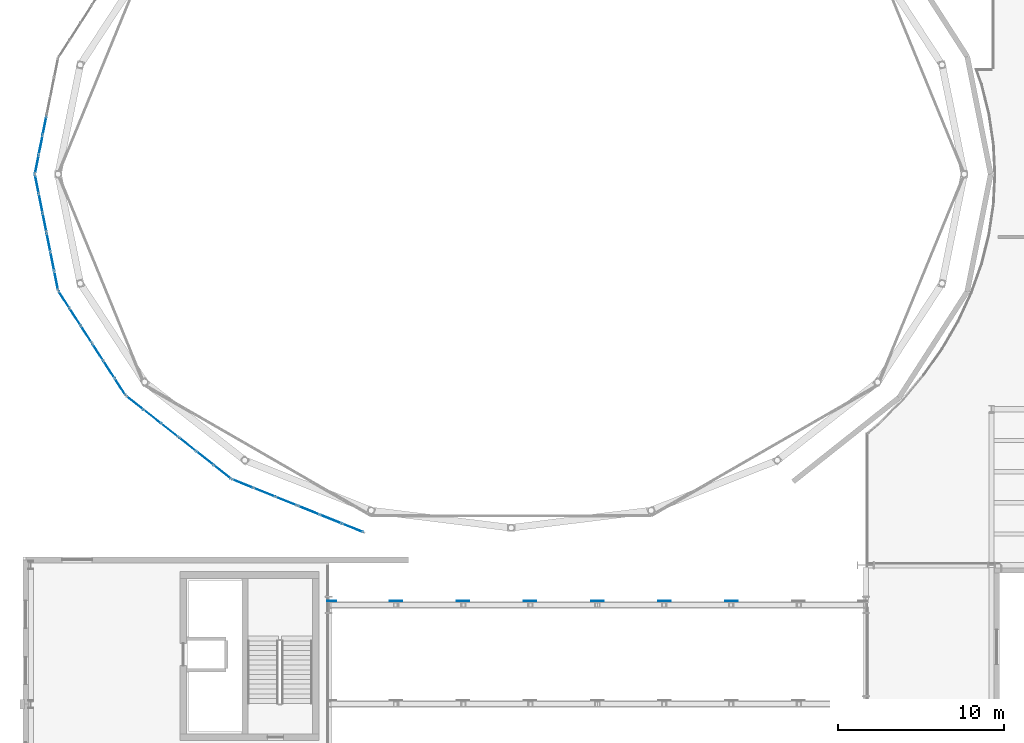
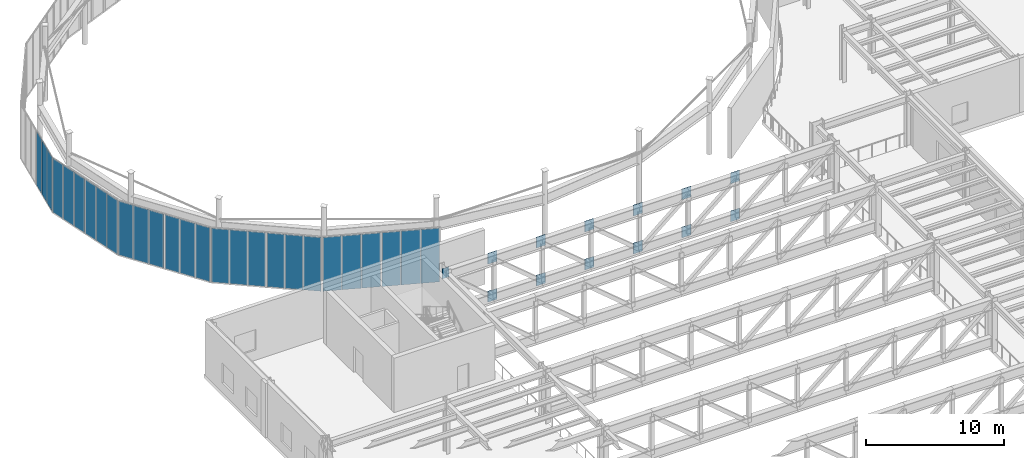
# One storey, part 57 of 91: 40 plates, 9 elements without a shape of their own.
"""IFC4 building model written with IfcOpenShell, lengths in metres."""

from ifc_helpers import new_model, si_unit, direction, frame, origin, origin_2d, place, context, subcontext, project, spatial, rectangle, extrude, material, layer, layer_set, type_object, element, aggregate, save


model = new_model("IFC4")

# Units and contexts
model_context = context("Model", 3, precision=1e-05, world=origin(), true_north=direction((0.0, 1.0)))
body_context = subcontext(model_context, "Body", "Model", "MODEL_VIEW")
ifc_project = project(units=[si_unit("LENGTHUNIT", "METRE"), si_unit("AREAUNIT", "SQUARE_METRE"), si_unit("VOLUMEUNIT", "CUBIC_METRE"), si_unit("PLANEANGLEUNIT", "RADIAN"), si_unit("MASSUNIT", "GRAM", prefix="KILO")], contexts=[model_context])

# Site, building, storey
site_placement = place(None, origin())
site = spatial("IfcSite", under=ifc_project, at=site_placement, CompositionType="ELEMENT")
building_placement = place(site_placement, origin())
building = spatial("IfcBuilding", under=site, at=building_placement, Name="Sollismere Congress Hotel", CompositionType="ELEMENT")
storey_placement = place(building_placement, frame((0.0, 0.0, 10.800048828125)))
storey = spatial("IfcBuildingStorey", under=building, at=storey_placement, Name="L02", CompositionType="ELEMENT", Elevation=10.800048828125)

# Curtain wall, plates
ifc_material_1 = material(Name="Anodized Bronze Curtain Wall & Low-E Triple Glazing", Category="glass")
ifc_layer_1 = layer(ifc_material_1, 0.199951171875, Name="Anodized Bronze Curtain Wall & Low-E Triple Glazing")
ifc_layer_set_1 = layer_set([ifc_layer_1], Name="Anodized Bronze Curtain Wall & Low-E Triple Glazing")
curtain_wall_type = type_object("IfcCurtainWallType", Name="CW-GLZ36", PredefinedType="USERDEFINED", material=ifc_layer_set_1)
curtain_wall_1_placement = place(storey_placement, origin())
curtain_wall_1 = element("IfcCurtainWall", 1, at=curtain_wall_1_placement, inside=storey, type_object=curtain_wall_type, Name="Unitised curtain wall CW-L02-042", ObjectType="UNITISED CURTAIN WALL", PredefinedType="USERDEFINED")
ifc_material_2 = material(Name="Blue-Tinted Solar-Control Low-E Vision Glass", Category="glass")
ifc_layer_2 = layer(ifc_material_2, 0.035888671875, Name="Blue-Tinted Solar-Control Low-E Vision Glass")
ifc_layer_set_2 = layer_set([ifc_layer_2], Name="Blue-Tinted Solar-Control Low-E Vision Glass")
plate_type_1 = type_object("IfcPlateType", Name="PL-CWGLZ", PredefinedType="CURTAIN_PANEL", material=ifc_layer_set_2)
plate_1_placement = place(storey_placement, frame((0.83251953125, 93.310546875, 0.052978515625), z_axis=(0.0, 0.0, 1.0), x_axis=(-0.196254203749, -0.98055305186, 0.0)))
plate_1 = element("IfcPlate", 2, at=plate_1_placement, type_object=plate_type_1, Name="CWL-CW-L02-042-VP01", PredefinedType="CURTAIN_PANEL", context=body_context, shape_type="SweptSolid", body=[
    extrude(rectangle(XDim=1.10595703125, YDim=0.035888671875, at=origin_2d()), origin(), (0.0, 0.0, 1.0), 4.75390625),
])
plate_2_placement = place(storey_placement, frame((0.601806640625, 92.157470703125, 0.052978515625), z_axis=(0.0, 0.0, 1.0), x_axis=(-0.196254203749, -0.98055305186, 0.0)))
plate_2 = element("IfcPlate", 3, at=plate_2_placement, type_object=plate_type_1, Name="CWL-CW-L02-042-VP02", PredefinedType="CURTAIN_PANEL", context=body_context, shape_type="SweptSolid", body=[
    extrude(rectangle(XDim=1.143798828125, YDim=0.035888671875, at=origin_2d()), origin(), (0.0, 0.0, 1.0), 4.75390625),
])
plate_3_placement = place(storey_placement, frame((0.37109375, 91.00439453125, 0.052978515625), z_axis=(0.0, 0.0, 1.0), x_axis=(-0.196254203749, -0.98055305186, 0.0)))
plate_3 = element("IfcPlate", 4, at=plate_3_placement, type_object=plate_type_1, Name="CWL-CW-L02-042-VP03", PredefinedType="CURTAIN_PANEL", context=body_context, shape_type="SweptSolid", body=[
    extrude(rectangle(XDim=1.10595703125, YDim=0.035888671875, at=origin_2d()), origin(), (0.0, 0.0, 1.0), 4.75390625),
])
aggregate(curtain_wall_1, [plate_1, plate_2, plate_3])

curtain_wall_2_placement = place(storey_placement, origin())
curtain_wall_2 = element("IfcCurtainWall", 5, at=curtain_wall_2_placement, inside=storey, type_object=curtain_wall_type, Name="Unitised curtain wall CW-L02-045", ObjectType="UNITISED CURTAIN WALL", PredefinedType="USERDEFINED")
plate_4_placement = place(storey_placement, frame((0.37109375, 89.79541015625, 0.052978515625), z_axis=(0.0, 0.0, 1.0), x_axis=(0.196254203749, -0.98055305186, 0.0)))
plate_4 = element("IfcPlate", 6, at=plate_4_placement, type_object=plate_type_1, Name="CWL-CW-L02-045-VP01", PredefinedType="CURTAIN_PANEL", context=body_context, shape_type="SweptSolid", body=[
    extrude(rectangle(XDim=1.10595703125, YDim=0.035888671875, at=origin_2d()), origin(), (0.0, 0.0, 1.0), 4.75390625),
])
plate_5_placement = place(storey_placement, frame((0.601806640625, 88.642578125, 0.052978515625), z_axis=(0.0, 0.0, 1.0), x_axis=(0.196254203749, -0.98055305186, 0.0)))
plate_5 = element("IfcPlate", 7, at=plate_5_placement, type_object=plate_type_1, Name="CWL-CW-L02-045-VP02", PredefinedType="CURTAIN_PANEL", context=body_context, shape_type="SweptSolid", body=[
    extrude(rectangle(XDim=1.143798828125, YDim=0.035888671875, at=origin_2d()), origin(), (0.0, 0.0, 1.0), 4.75390625),
])
plate_6_placement = place(storey_placement, frame((0.83251953125, 87.489501953125, 0.052978515625), z_axis=(0.0, 0.0, 1.0), x_axis=(0.196254203749, -0.98055305186, 0.0)))
plate_6 = element("IfcPlate", 8, at=plate_6_placement, type_object=plate_type_1, Name="CWL-CW-L02-045-VP03", PredefinedType="CURTAIN_PANEL", context=body_context, shape_type="SweptSolid", body=[
    extrude(rectangle(XDim=1.10595703125, YDim=0.035888671875, at=origin_2d()), origin(), (0.0, 0.0, 1.0), 4.75390625),
])
aggregate(curtain_wall_2, [plate_4, plate_5, plate_6])

curtain_wall_3_placement = place(storey_placement, origin())
curtain_wall_3 = element("IfcCurtainWall", 9, at=curtain_wall_3_placement, inside=storey, type_object=curtain_wall_type, Name="Unitised curtain wall CW-L02-046", ObjectType="UNITISED CURTAIN WALL", PredefinedType="USERDEFINED")
plate_7_placement = place(storey_placement, frame((1.074462890625, 86.280517578125, 0.052978515625), z_axis=(0.0, 0.0, 1.0), x_axis=(0.196254203749, -0.98055305186, 0.0)))
plate_7 = element("IfcPlate", 10, at=plate_7_placement, type_object=plate_type_1, Name="CWL-CW-L02-046-VP01", PredefinedType="CURTAIN_PANEL", context=body_context, shape_type="SweptSolid", body=[
    extrude(rectangle(XDim=1.10595703125, YDim=0.035888671875, at=origin_2d()), origin(), (0.0, 0.0, 1.0), 4.75390625),
])
plate_8_placement = place(storey_placement, frame((1.305419921875, 85.12744140625, 0.052978515625), z_axis=(0.0, 0.0, 1.0), x_axis=(0.196254203749, -0.98055305186, 0.0)))
plate_8 = element("IfcPlate", 11, at=plate_8_placement, type_object=plate_type_1, Name="CWL-CW-L02-046-VP02", PredefinedType="CURTAIN_PANEL", context=body_context, shape_type="SweptSolid", body=[
    extrude(rectangle(XDim=1.143798828125, YDim=0.035888671875, at=origin_2d()), origin(), (0.0, 0.0, 1.0), 4.75390625),
])
plate_9_placement = place(storey_placement, frame((1.5361328125, 83.974365234375, 0.052978515625), z_axis=(0.0, 0.0, 1.0), x_axis=(0.196254203749, -0.98055305186, 0.0)))
plate_9 = element("IfcPlate", 12, at=plate_9_placement, type_object=plate_type_1, Name="CWL-CW-L02-046-VP03", PredefinedType="CURTAIN_PANEL", context=body_context, shape_type="SweptSolid", body=[
    extrude(rectangle(XDim=1.10595703125, YDim=0.035888671875, at=origin_2d()), origin(), (0.0, 0.0, 1.0), 4.75390625),
])
aggregate(curtain_wall_3, [plate_7, plate_8, plate_9])

curtain_wall_4_placement = place(storey_placement, origin())
curtain_wall_4 = element("IfcCurtainWall", 13, at=curtain_wall_4_placement, inside=storey, type_object=curtain_wall_type, Name="Unitised curtain wall CW-L02-051", ObjectType="UNITISED CURTAIN WALL", PredefinedType="USERDEFINED")
plate_10_placement = place(storey_placement, frame((2.0078125, 82.825439453125, 0.052978515625), z_axis=(0.0, 0.0, 1.0), x_axis=(0.541385415951, -0.840774542547, 0.0)))
plate_10 = element("IfcPlate", 14, at=plate_10_placement, type_object=plate_type_1, Name="CWL-CW-L02-051-VP01", PredefinedType="CURTAIN_PANEL", context=body_context, shape_type="SweptSolid", body=[
    extrude(rectangle(XDim=1.168212890625, YDim=0.035888671875, at=origin_2d()), origin(), (0.0, 0.0, 1.0), 4.75390625),
])
plate_11_placement = place(storey_placement, frame((2.677978515625, 81.784423828125, 0.052978515625), z_axis=(0.0, 0.0, 1.0), x_axis=(0.541385415951, -0.840774542547, 0.0)))
plate_11 = element("IfcPlate", 15, at=plate_11_placement, type_object=plate_type_1, Name="CWL-CW-L02-051-VP02", PredefinedType="CURTAIN_PANEL", context=body_context, shape_type="SweptSolid", body=[
    extrude(rectangle(XDim=1.206298828125, YDim=0.035888671875, at=origin_2d()), origin(), (0.0, 0.0, 1.0), 4.75390625),
])
plate_12_placement = place(storey_placement, frame((3.348388671875, 80.743408203125, 0.052978515625), z_axis=(0.0, 0.0, 1.0), x_axis=(0.541385415951, -0.840774542547, 0.0)))
plate_12 = element("IfcPlate", 16, at=plate_12_placement, type_object=plate_type_1, Name="CWL-CW-L02-051-VP03", PredefinedType="CURTAIN_PANEL", context=body_context, shape_type="SweptSolid", body=[
    extrude(rectangle(XDim=1.168212890625, YDim=0.035888671875, at=origin_2d()), origin(), (0.0, 0.0, 1.0), 4.75390625),
])
aggregate(curtain_wall_4, [plate_10, plate_11, plate_12])

curtain_wall_5_placement = place(storey_placement, origin())
curtain_wall_5 = element("IfcCurtainWall", 17, at=curtain_wall_5_placement, inside=storey, type_object=curtain_wall_type, Name="Unitised curtain wall CW-L02-052", ObjectType="UNITISED CURTAIN WALL", PredefinedType="USERDEFINED")
plate_13_placement = place(storey_placement, frame((4.049560546875, 79.654296875, 0.052978515625), z_axis=(0.0, 0.0, 1.0), x_axis=(0.541385415951, -0.840774542547, 0.0)))
plate_13 = element("IfcPlate", 18, at=plate_13_placement, type_object=plate_type_1, Name="CWL-CW-L02-052-VP01", PredefinedType="CURTAIN_PANEL", context=body_context, shape_type="SweptSolid", body=[
    extrude(rectangle(XDim=1.168212890625, YDim=0.035888671875, at=origin_2d()), origin(), (0.0, 0.0, 1.0), 4.75390625),
])
plate_14_placement = place(storey_placement, frame((4.719970703125, 78.61328125, 0.052978515625), z_axis=(0.0, 0.0, 1.0), x_axis=(0.541385415951, -0.840774542547, 0.0)))
plate_14 = element("IfcPlate", 19, at=plate_14_placement, type_object=plate_type_1, Name="CWL-CW-L02-052-VP02", PredefinedType="CURTAIN_PANEL", context=body_context, shape_type="SweptSolid", body=[
    extrude(rectangle(XDim=1.206298828125, YDim=0.035888671875, at=origin_2d()), origin(), (0.0, 0.0, 1.0), 4.75390625),
])
plate_15_placement = place(storey_placement, frame((5.39013671875, 77.572509765625, 0.052978515625), z_axis=(0.0, 0.0, 1.0), x_axis=(0.541385415951, -0.840774542547, 0.0)))
plate_15 = element("IfcPlate", 20, at=plate_15_placement, type_object=plate_type_1, Name="CWL-CW-L02-052-VP03", PredefinedType="CURTAIN_PANEL", context=body_context, shape_type="SweptSolid", body=[
    extrude(rectangle(XDim=1.168212890625, YDim=0.035888671875, at=origin_2d()), origin(), (0.0, 0.0, 1.0), 4.75390625),
])
aggregate(curtain_wall_5, [plate_13, plate_14, plate_15])

curtain_wall_6_placement = place(storey_placement, origin())
curtain_wall_6 = element("IfcCurtainWall", 21, at=curtain_wall_6_placement, inside=storey, type_object=curtain_wall_type, Name="Unitised curtain wall CW-L02-057", ObjectType="UNITISED CURTAIN WALL", PredefinedType="USERDEFINED")
plate_16_placement = place(storey_placement, frame((6.28564453125, 76.5966796875, 0.052978515625), z_axis=(0.0, 0.0, 1.0), x_axis=(0.784181063891, -0.620532077362, 0.0)))
plate_16 = element("IfcPlate", 22, at=plate_16_placement, type_object=plate_type_1, Name="CWL-CW-L02-057-VP01", PredefinedType="CURTAIN_PANEL", context=body_context, shape_type="SweptSolid", body=[
    extrude(rectangle(XDim=1.2626953125, YDim=0.035888671875, at=origin_2d()), origin(), (0.0, 0.0, 1.0), 4.75390625),
])
plate_17_placement = place(storey_placement, frame((7.330810546875, 75.769775390625, 0.052978515625), z_axis=(0.0, 0.0, 1.0), x_axis=(0.784181063891, -0.620532077362, 0.0)))
plate_17 = element("IfcPlate", 23, at=plate_17_placement, type_object=plate_type_1, Name="CWL-CW-L02-057-VP02", PredefinedType="CURTAIN_PANEL", context=body_context, shape_type="SweptSolid", body=[
    extrude(rectangle(XDim=1.30078125, YDim=0.035888671875, at=origin_2d()), origin(), (0.0, 0.0, 1.0), 4.75390625),
])
plate_18_placement = place(storey_placement, frame((8.376220703125, 74.942626953125, 0.052978515625), z_axis=(0.0, 0.0, 1.0), x_axis=(0.784181063891, -0.620532077362, 0.0)))
plate_18 = element("IfcPlate", 24, at=plate_18_placement, type_object=plate_type_1, Name="CWL-CW-L02-057-VP03", PredefinedType="CURTAIN_PANEL", context=body_context, shape_type="SweptSolid", body=[
    extrude(rectangle(XDim=1.2626953125, YDim=0.035888671875, at=origin_2d()), origin(), (0.0, 0.0, 1.0), 4.75390625),
])
aggregate(curtain_wall_6, [plate_16, plate_17, plate_18])

curtain_wall_7_placement = place(storey_placement, origin())
curtain_wall_7 = element("IfcCurtainWall", 25, at=curtain_wall_7_placement, inside=storey, type_object=curtain_wall_type, Name="Unitised curtain wall CW-L02-058", ObjectType="UNITISED CURTAIN WALL", PredefinedType="USERDEFINED")
plate_19_placement = place(storey_placement, frame((9.4658203125, 74.080078125, 0.052978515625), z_axis=(0.0, 0.0, 1.0), x_axis=(0.784181063891, -0.620532077362, 0.0)))
plate_19 = element("IfcPlate", 26, at=plate_19_placement, type_object=plate_type_1, Name="CWL-CW-L02-058-VP01", PredefinedType="CURTAIN_PANEL", context=body_context, shape_type="SweptSolid", body=[
    extrude(rectangle(XDim=1.2626953125, YDim=0.035888671875, at=origin_2d()), origin(), (0.0, 0.0, 1.0), 4.75390625),
])
plate_20_placement = place(storey_placement, frame((10.510986328125, 73.253173828125, 0.052978515625), z_axis=(0.0, 0.0, 1.0), x_axis=(0.784181063891, -0.620532077362, 0.0)))
plate_20 = element("IfcPlate", 27, at=plate_20_placement, type_object=plate_type_1, Name="CWL-CW-L02-058-VP02", PredefinedType="CURTAIN_PANEL", context=body_context, shape_type="SweptSolid", body=[
    extrude(rectangle(XDim=1.30078125, YDim=0.035888671875, at=origin_2d()), origin(), (0.0, 0.0, 1.0), 4.75390625),
])
plate_21_placement = place(storey_placement, frame((11.556396484375, 72.426025390625, 0.052978515625), z_axis=(0.0, 0.0, 1.0), x_axis=(0.784181063891, -0.620532077362, 0.0)))
plate_21 = element("IfcPlate", 28, at=plate_21_placement, type_object=plate_type_1, Name="CWL-CW-L02-058-VP03", PredefinedType="CURTAIN_PANEL", context=body_context, shape_type="SweptSolid", body=[
    extrude(rectangle(XDim=1.2626953125, YDim=0.035888671875, at=origin_2d()), origin(), (0.0, 0.0, 1.0), 4.75390625),
])
aggregate(curtain_wall_7, [plate_19, plate_20, plate_21])

curtain_wall_8_placement = place(storey_placement, origin())
curtain_wall_8 = element("IfcCurtainWall", 29, at=curtain_wall_8_placement, inside=storey, type_object=curtain_wall_type, Name="Unitised curtain wall CW-L02-063", ObjectType="UNITISED CURTAIN WALL", PredefinedType="USERDEFINED")
plate_22_placement = place(storey_placement, frame((12.78662109375, 71.718505859375, 0.052978515625), z_axis=(0.0, 0.0, 1.0), x_axis=(0.927451680013, -0.373943018709, 0.0)))
plate_22 = element("IfcPlate", 30, at=plate_22_placement, type_object=plate_type_1, Name="CWL-CW-L02-063-VP01", PredefinedType="CURTAIN_PANEL", context=body_context, shape_type="SweptSolid", body=[
    extrude(rectangle(XDim=1.351318359375, YDim=0.035888671875, at=origin_2d()), origin(), (0.0, 0.0, 1.0), 4.75390625),
])
plate_23_placement = place(storey_placement, frame((14.104736328125, 71.18701171875, 0.052978515625), z_axis=(0.0, 0.0, 1.0), x_axis=(0.927451680013, -0.373943018709, 0.0)))
plate_23 = element("IfcPlate", 31, at=plate_23_placement, type_object=plate_type_1, Name="CWL-CW-L02-063-VP02", PredefinedType="CURTAIN_PANEL", context=body_context, shape_type="SweptSolid", body=[
    extrude(rectangle(XDim=1.389404296875, YDim=0.035888671875, at=origin_2d()), origin(), (0.0, 0.0, 1.0), 4.75390625),
])
plate_24_placement = place(storey_placement, frame((15.423095703125, 70.655517578125, 0.052978515625), z_axis=(0.0, 0.0, 1.0), x_axis=(0.927451680013, -0.373943018709, 0.0)))
plate_24 = element("IfcPlate", 32, at=plate_24_placement, type_object=plate_type_1, Name="CWL-CW-L02-063-VP03", PredefinedType="CURTAIN_PANEL", context=body_context, shape_type="SweptSolid", body=[
    extrude(rectangle(XDim=1.351318359375, YDim=0.035888671875, at=origin_2d()), origin(), (0.0, 0.0, 1.0), 4.75390625),
])
aggregate(curtain_wall_8, [plate_22, plate_23, plate_24])

curtain_wall_9_placement = place(storey_placement, origin())
curtain_wall_9 = element("IfcCurtainWall", 33, at=curtain_wall_9_placement, inside=storey, type_object=curtain_wall_type, Name="Unitised curtain wall CW-L02-064", ObjectType="UNITISED CURTAIN WALL", PredefinedType="USERDEFINED")
plate_25_placement = place(storey_placement, frame((16.7939453125, 70.102783203125, 0.052978515625), z_axis=(0.0, 0.0, 1.0), x_axis=(0.927451680013, -0.373943018709, 0.0)))
plate_25 = element("IfcPlate", 34, at=plate_25_placement, type_object=plate_type_1, Name="CWL-CW-L02-064-VP01", PredefinedType="CURTAIN_PANEL", context=body_context, shape_type="SweptSolid", body=[
    extrude(rectangle(XDim=1.351318359375, YDim=0.035888671875, at=origin_2d()), origin(), (0.0, 0.0, 1.0), 4.75390625),
])
plate_26_placement = place(storey_placement, frame((18.112060546875, 69.5712890625, 0.052978515625), z_axis=(0.0, 0.0, 1.0), x_axis=(0.927451680013, -0.373943018709, 0.0)))
plate_26 = element("IfcPlate", 35, at=plate_26_placement, type_object=plate_type_1, Name="CWL-CW-L02-064-VP02", PredefinedType="CURTAIN_PANEL", context=body_context, shape_type="SweptSolid", body=[
    extrude(rectangle(XDim=1.389404296875, YDim=0.035888671875, at=origin_2d()), origin(), (0.0, 0.0, 1.0), 4.75390625),
])
plate_27_placement = place(storey_placement, frame((19.430419921875, 69.039794921875, 0.052978515625), z_axis=(0.0, 0.0, 1.0), x_axis=(0.927451680013, -0.373943018709, 0.0)))
plate_27 = element("IfcPlate", 36, at=plate_27_placement, type_object=plate_type_1, Name="CWL-CW-L02-064-VP03", PredefinedType="CURTAIN_PANEL", context=body_context, shape_type="SweptSolid", body=[
    extrude(rectangle(XDim=1.351318359375, YDim=0.035888671875, at=origin_2d()), origin(), (0.0, 0.0, 1.0), 4.75390625),
])
aggregate(curtain_wall_9, [plate_25, plate_26, plate_27])

# Plates
ifc_material_3 = material(Name="Steel ASTM A572 Grade 50", Category="steel")
ifc_layer_3 = layer(ifc_material_3, 0.0400390625, Name="Steel ASTM A572 Grade 50")
ifc_layer_set_3 = layer_set([ifc_layer_3], Name="Steel ASTM A572 Grade 50")
plate_type_2 = type_object("IfcPlateType", Name="PL-GS40", PredefinedType="USERDEFINED", material=ifc_layer_set_3)
for number, where, z_axis, x_axis, name in (
    (37, (22.050048828125, 64.632080078125, 3.56005859375), (0.0, 0.0, 1.0), (1.0, 0.0, 0.0), "PLT-GS-TT6-1"),
    (38, (22.050048828125, 64.632080078125, 0.2099609375), (0.0, 0.0, 1.0), (1.0, 0.0, 0.0), "PLT-GSB-TT6-1"),
    (39, (26.10009765625, 64.632080078125, 3.56005859375), (0.0, 0.0, 1.0), (1.0, 0.0, 0.0), "PLT-GS-TT6-2"),
    (40, (26.10009765625, 64.632080078125, 0.2099609375), (0.0, 0.0, 1.0), (1.0, 0.0, 0.0), "PLT-GSB-TT6-2"),
    (41, (30.14990234375, 64.632080078125, 3.56005859375), (0.0, 0.0, 1.0), (1.0, 0.0, 0.0), "PLT-GS-TT6-3"),
    (42, (30.14990234375, 64.632080078125, 0.2099609375), (0.0, 0.0, 1.0), (1.0, 0.0, 0.0), "PLT-GSB-TT6-3"),
    (43, (34.199951171875, 64.632080078125, 3.56005859375), (0.0, 0.0, 1.0), (1.0, 0.0, 0.0), "PLT-GS-TT6-4"),
    (44, (34.199951171875, 64.632080078125, 0.2099609375), (0.0, 0.0, 1.0), (1.0, 0.0, 0.0), "PLT-GSB-TT6-4"),
    (45, (38.25, 64.632080078125, 3.56005859375), (0.0, 0.0, 1.0), (1.0, 0.0, 0.0), "PLT-GS-TT6-5"),
    (46, (38.25, 64.632080078125, 0.2099609375), (0.0, 0.0, 1.0), (1.0, 0.0, 0.0), "PLT-GSB-TT6-5"),
    (47, (42.300048828125, 64.632080078125, 3.56005859375), (0.0, 0.0, 1.0), (1.0, 0.0, 0.0), "PLT-GS-TT6-6"),
    (48, (42.300048828125, 64.632080078125, 0.2099609375), (0.0, 0.0, 1.0), (1.0, 0.0, 0.0), "PLT-GSB-TT6-6"),
):
    element("IfcPlate", number, at=place(storey_placement, frame(where, z_axis=z_axis, x_axis=x_axis)), inside=storey, type_object=plate_type_2, Name=name, ObjectType="GUSSET PLATE", PredefinedType="USERDEFINED", context=body_context, shape_type="SweptSolid", body=[
        extrude(rectangle(XDim=0.75, YDim=0.0400390625, at=origin_2d()), origin(), (0.0, 0.0, 1.0), 0.93994140625),
    ])
plate_28_placement = place(storey_placement, frame((18.159912109375, 64.632080078125, 3.590087890625), z_axis=(0.0, 0.0, 1.0), x_axis=(1.0, 0.0, 0.0)))
element("IfcPlate", 49, at=plate_28_placement, inside=storey, type_object=plate_type_2, Name="PLT-GSE-TT6-W", ObjectType="GUSSET PLATE", PredefinedType="USERDEFINED", context=body_context, shape_type="SweptSolid", body=[
    extrude(rectangle(XDim=0.550048828125, YDim=0.0400390625, at=origin_2d()), origin(), (0.0, 0.0, 1.0), 0.8798828125),
])

save(model, "model.ifc")
